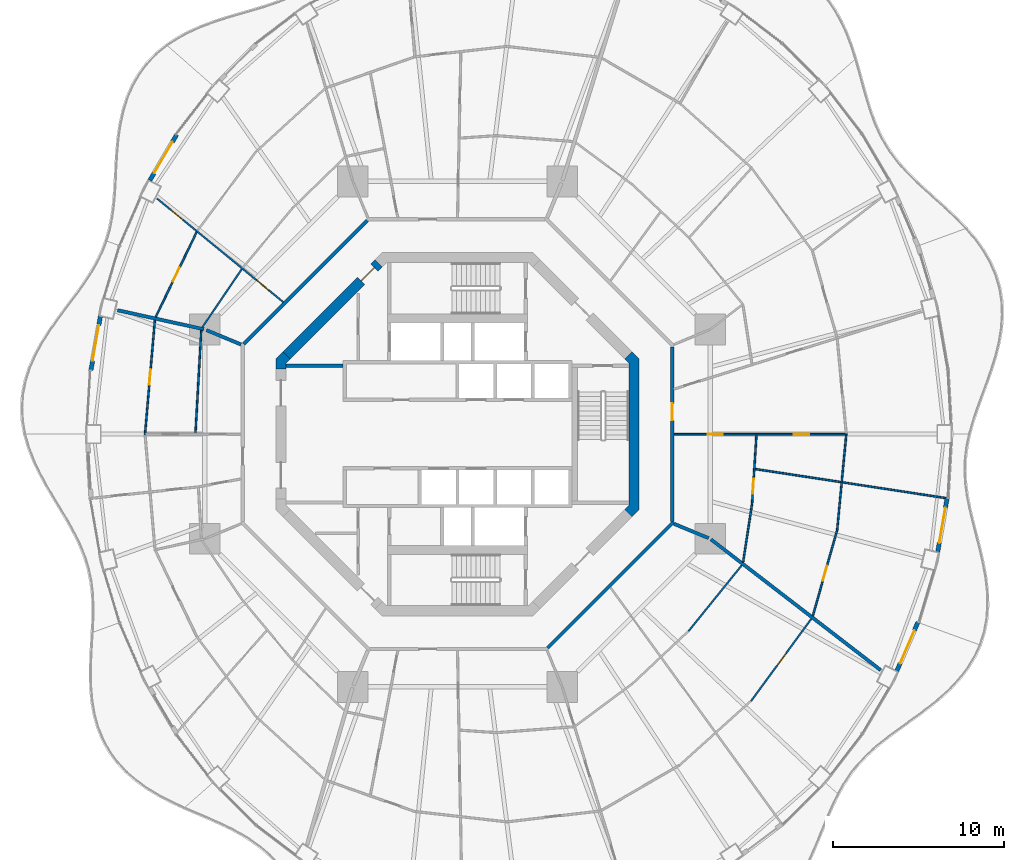
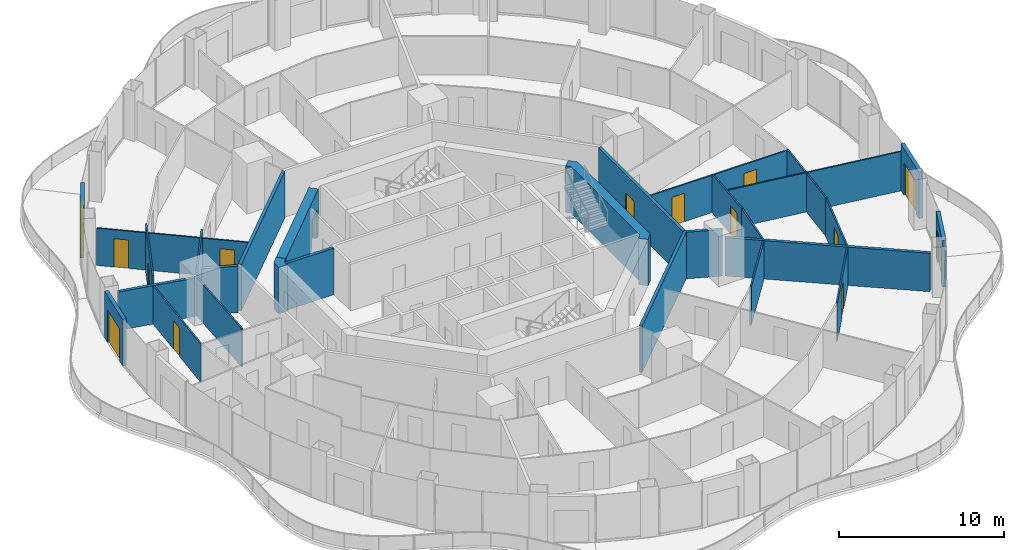
# One storey, part 13 of 19: 28 walls, 15 doors, 15 openings.
"""IFC4 building model written with IfcOpenShell, lengths in metres."""

from ifc_helpers import new_model, si_unit, direction, frame, frame_2d, origin, place, context, subcontext, project, spatial, polyline, rectangle, outline, extrude, material, layer, layer_set, type_object, element, fill, save


model = new_model("IFC4")

# Units and contexts
model_context = context("Model", 3, precision=1e-05, world=origin(), true_north=direction((0.0, 1.0)))
body_context = subcontext(model_context, "Body", "Model", "MODEL_VIEW")
ifc_project = project(units=[si_unit("LENGTHUNIT", "METRE"), si_unit("AREAUNIT", "SQUARE_METRE"), si_unit("VOLUMEUNIT", "CUBIC_METRE"), si_unit("PLANEANGLEUNIT", "RADIAN"), si_unit("MASSUNIT", "GRAM", prefix="KILO")], contexts=[model_context])

# Site, building, storey
site_placement = place(None, origin())
site = spatial("IfcSite", under=ifc_project, at=site_placement, CompositionType="ELEMENT")
building_placement = place(site_placement, origin())
building = spatial("IfcBuilding", under=site, at=building_placement, Name="Nagisa Residences", CompositionType="ELEMENT")
storey_placement = place(building_placement, frame((0.0, 0.0, 169.60009765625)))
storey = spatial("IfcBuildingStorey", under=building, at=storey_placement, Name="L42", CompositionType="ELEMENT", Elevation=169.60009765625)

# Walls
ifc_material_1 = material(Name="Gypsum board on steel studs", Category="steel")
ifc_layer_1 = layer(ifc_material_1, 0.199951171875)
ifc_layer_set_1 = layer_set([ifc_layer_1], Name="Apartment compartment wall EI60 200")
wall_type_1 = type_object("IfcWallType", Name="Apartment compartment wall EI60 200", PredefinedType="PARTITIONING", material=ifc_layer_set_1)
wall_1_placement = place(storey_placement, frame((-12.6572265625, 5.24267578125, 0.0), z_axis=(0.0, 0.0, 1.0), x_axis=(-0.923859888513, 0.38273085373, 0.0)))
element("IfcWall", 1, at=wall_1_placement, inside=storey, type_object=wall_type_1, Name="wall:L42:u02", PredefinedType="PARTITIONING", context=body_context, shape_type="SweptSolid", body=[
    extrude(rectangle(XDim=2.199462890625, YDim=0.199951171875, at=frame_2d((1.099609375, 0.0))), origin(), (0.0, 0.0, 1.0), 3.43994140625),
])
wall_2_placement = place(storey_placement, frame((-14.830810546875, 6.133544921875, 0.0), z_axis=(0.0, 0.0, 1.0), x_axis=(-0.976568396888, 0.215207263354, 0.0)))
element("IfcWall", 2, at=wall_2_placement, inside=storey, type_object=wall_type_1, Name="wall:L42:u03", PredefinedType="PARTITIONING", context=body_context, shape_type="SweptSolid", body=[
    extrude(rectangle(XDim=5.176513671875, YDim=0.199951171875, at=frame_2d((2.58837890625, 0.0))), origin(), (0.0, 0.0, 1.0), 2.8369140625),
])
wall_3_placement = place(storey_placement, frame((12.6572265625, -5.24267578125, 0.0), z_axis=(0.0, 0.0, 1.0), x_axis=(0.92383017907, -0.382802560388, 0.0)))
element("IfcWall", 3, at=wall_3_placement, inside=storey, type_object=wall_type_1, Name="wall:L42:u06", PredefinedType="PARTITIONING", context=body_context, shape_type="SweptSolid", body=[
    extrude(rectangle(XDim=2.2001953125, YDim=0.199951171875, at=frame_2d((1.10009765625, 0.0))), origin(), (0.0, 0.0, 1.0), 3.43994140625),
])
wall_4_placement = place(storey_placement, frame((14.82177734375, -6.153564453125, 0.0), z_axis=(0.0, 0.0, 1.0), x_axis=(0.792203056092, -0.610257583254, 0.0)))
element("IfcWall", 4, at=wall_4_placement, inside=storey, type_object=wall_type_1, Name="wall:L42:u07", PredefinedType="PARTITIONING", context=body_context, shape_type="SweptSolid", body=[
    extrude(rectangle(XDim=12.53271484375, YDim=0.199951171875, at=frame_2d((6.266357421875, 0.0))), origin(), (0.0, 0.0, 1.0), 2.8369140625),
])

# Wall, opening, door
ifc_material_2 = material(Name="Gypsum board on steel studs", Category="steel")
ifc_layer_2 = layer(ifc_material_2, 0.199951171875)
ifc_layer_set_2 = layer_set([ifc_layer_2], Name="Apartment entry wall EI60 200")
wall_type_2 = type_object("IfcWallType", Name="Apartment entry wall EI60 200", PredefinedType="PARTITIONING", material=ifc_layer_set_2)
wall_5_placement = place(storey_placement, frame((12.564697265625, -5.1044921875, 0.0), z_axis=(0.0, 0.0, 1.0), x_axis=(0.0, 1.0, 0.0)))
wall_5 = element("IfcWall", 5, at=wall_5_placement, inside=storey, type_object=wall_type_2, Name="wall:L42:u08", PredefinedType="PARTITIONING", context=body_context, shape_type="SweptSolid", body=[
    extrude(rectangle(XDim=10.208984375, YDim=0.199951171875, at=frame_2d((5.1044921875, 0.0))), origin(), (0.0, 0.0, 1.0), 3.43994140625),
])
opening_1_placement = place(wall_5_placement, frame((5.905517578125, 0.0, 0.0)))
opening_1 = element("IfcOpeningElement", 6, at=opening_1_placement, cuts=wall_5, Name="Opening L42-U01", PredefinedType="OPENING", context=body_context, shape_type="SweptSolid", body=[
    extrude(rectangle(XDim=1.0, YDim=2.10009765625, at=frame_2d((0.5, 1.050048828125))), frame((0.0, 0.10986328125, 0.0), z_axis=(0.0, -1.0, 0.0), x_axis=(1.0, 0.0, 0.0)), (0.0, 0.0, 1.0), 0.219970703125),
])
ifc_material_3 = material(Name="Timber fire door set", Category="wood")
door_type_1 = type_object("IfcDoorType", Name="Apartment entry door FD30S 1000x2100", OperationType="NOTDEFINED", PredefinedType="DOOR", material=ifc_material_3)
door_1_placement = place(opening_1_placement, frame((1.0, 0.0, 0.0), x_axis=(-1.0, 0.0, 0.0)))
door_1 = element("IfcDoor", 7, at=door_1_placement, inside=storey, type_object=door_type_1, Name="Entry door, Apartment 42A", OperationType="SINGLE_SWING_RIGHT", OverallHeight=2.10009765625, OverallWidth=1.0, PredefinedType="DOOR", context=body_context, shape_type="SweptSolid", body=[
    extrude(rectangle(XDim=1.0, YDim=2.10009765625, at=frame_2d((0.5, 1.050048828125))), frame((0.0, 0.02490234375, 0.0), z_axis=(0.0, -1.0, 0.0), x_axis=(1.0, 0.0, 0.0)), (0.0, 0.0, 1.0), 0.050048828125),
])
fill(opening_1, door_1)

# Walls
wall_6_placement = place(storey_placement, frame((-5.275146484375, 12.494140625, 0.0), z_axis=(0.0, 0.0, 1.0), x_axis=(-0.707106781187, -0.707106781187, 0.0)))
element("IfcWall", 8, at=wall_6_placement, inside=storey, type_object=wall_type_2, Name="wall:L42:u11", PredefinedType="PARTITIONING", context=body_context, shape_type="SweptSolid", body=[
    extrude(rectangle(XDim=10.209228515625, YDim=0.199951171875, at=frame_2d((5.1044921875, 0.0))), origin(), (0.0, 0.0, 1.0), 3.43994140625),
])
wall_7_placement = place(storey_placement, frame((5.275146484375, -12.494140625, 0.0), z_axis=(0.0, 0.0, 1.0), x_axis=(0.707106781187, 0.707106781187, 0.0)))
element("IfcWall", 9, at=wall_7_placement, inside=storey, type_object=wall_type_2, Name="wall:L42:u15", PredefinedType="PARTITIONING", context=body_context, shape_type="SweptSolid", body=[
    extrude(rectangle(XDim=10.4091796875, YDim=0.199951171875, at=frame_2d((5.20458984375, 0.0))), origin(), (0.0, 0.0, 1.0), 3.43994140625),
])

# Wall, openings, doors
ifc_material_4 = material(Name="Gypsum board on steel studs", Category="steel")
ifc_layer_3 = layer(ifc_material_4, 0.10009765625)
ifc_layer_set_3 = layer_set([ifc_layer_3], Name="Apartment partition 100")
wall_type_3 = type_object("IfcWallType", Name="Apartment partition 100", PredefinedType="PARTITIONING", material=ifc_layer_set_3)
wall_8_placement = place(storey_placement, frame((12.664794921875, 0.0, 0.0), z_axis=(0.0, 0.0, 1.0), x_axis=(1.0, 0.0, 0.0)))
wall_8 = element("IfcWall", 10, at=wall_8_placement, inside=storey, type_object=wall_type_3, Name="wall:L42:u16", PredefinedType="PARTITIONING", context=body_context, shape_type="SweptSolid", body=[
    extrude(rectangle(XDim=10.124267578125, YDim=0.10009765625, at=frame_2d((5.06201171875, 0.0))), origin(), (0.0, 0.0, 1.0), 2.755859375),
])
opening_2_placement = place(wall_8_placement, frame((1.96142578125, 0.0, 0.0)))
opening_2 = element("IfcOpeningElement", 11, at=opening_2_placement, cuts=wall_8, Name="Opening L42-U02", PredefinedType="OPENING", context=body_context, shape_type="SweptSolid", body=[
    extrude(rectangle(XDim=0.89990234375, YDim=2.10009765625, at=frame_2d((0.449951171875, 1.050048828125))), frame((0.0, 0.06005859375, 0.0), z_axis=(0.0, -1.0, 0.0), x_axis=(1.0, 0.0, 0.0)), (0.0, 0.0, 1.0), 0.1201171875),
])
opening_3_placement = place(wall_8_placement, frame((6.998779296875, 0.0, 0.0)))
opening_3 = element("IfcOpeningElement", 12, at=opening_3_placement, cuts=wall_8, Name="Opening L42-U05", PredefinedType="OPENING", context=body_context, shape_type="SweptSolid", body=[
    extrude(rectangle(XDim=0.89990234375, YDim=2.10009765625, at=frame_2d((0.449951171875, 1.050048828125))), frame((0.0, 0.06005859375, 0.0), z_axis=(0.0, -1.0, 0.0), x_axis=(1.0, 0.0, 0.0)), (0.0, 0.0, 1.0), 0.1201171875),
])
ifc_material_5 = material(Name="Timber door set", Category="wood")
door_type_2 = type_object("IfcDoorType", Name="Apartment door 900x2100", OperationType="NOTDEFINED", PredefinedType="DOOR", material=ifc_material_5)
door_2_placement = place(opening_2_placement, frame((0.89990234375, 0.0, 0.0), x_axis=(-1.0, 0.0, 0.0)))
door_2 = element("IfcDoor", 13, at=door_2_placement, inside=storey, type_object=door_type_2, Name="Door to store, Apartment 42A", OperationType="SINGLE_SWING_LEFT", OverallHeight=2.10009765625, OverallWidth=0.89990234375, PredefinedType="DOOR", context=body_context, shape_type="SweptSolid", body=[
    extrude(rectangle(XDim=0.89990234375, YDim=2.10009765625, at=frame_2d((0.449951171875, 1.050048828125))), frame((0.0, 0.02490234375, 0.0), z_axis=(0.0, -1.0, 0.0), x_axis=(1.0, 0.0, 0.0)), (0.0, 0.0, 1.0), 0.050048828125),
])
fill(opening_2, door_2)
door_3_placement = place(opening_3_placement, frame((0.89990234375, 0.0, 0.0), x_axis=(-1.0, 0.0, 0.0)))
door_3 = element("IfcDoor", 14, at=door_3_placement, inside=storey, type_object=door_type_2, Name="Door to family bathroom, Apartment 42A", OperationType="SINGLE_SWING_RIGHT", OverallHeight=2.10009765625, OverallWidth=0.89990234375, PredefinedType="DOOR", context=body_context, shape_type="SweptSolid", body=[
    extrude(rectangle(XDim=0.89990234375, YDim=2.10009765625, at=frame_2d((0.449951171875, 1.050048828125))), frame((0.0, 0.02490234375, 0.0), z_axis=(0.0, -1.0, 0.0), x_axis=(1.0, 0.0, 0.0)), (0.0, 0.0, 1.0), 0.050048828125),
])
fill(opening_3, door_3)

# Wall, opening, door
wall_9_placement = place(storey_placement, frame((17.484619140625, -0.0498046875, 0.0), z_axis=(0.0, 0.0, 1.0), x_axis=(-0.063673473968, -0.997970785501, 0.0)))
wall_9 = element("IfcWall", 15, at=wall_9_placement, inside=storey, type_object=wall_type_3, Name="wall:L42:u17", PredefinedType="PARTITIONING", context=body_context, shape_type="SweptSolid", body=[
    extrude(rectangle(XDim=4.072021484375, YDim=0.10009765625, at=frame_2d((2.0361328125, 0.0))), origin(), (0.0, 0.0, 1.0), 2.8369140625),
])
opening_4_placement = place(wall_9_placement, frame((2.553955078125, 0.0, 0.0)))
opening_4 = element("IfcOpeningElement", 16, at=opening_4_placement, cuts=wall_9, Name="Opening L42-U04", PredefinedType="OPENING", context=body_context, shape_type="SweptSolid", body=[
    extrude(rectangle(XDim=0.89990234375, YDim=2.10009765625, at=frame_2d((0.449951171875, 1.050048828125))), frame((0.0, 0.06005859375, 0.0), z_axis=(0.0, -1.0, 0.0), x_axis=(1.0, 0.0, 0.0)), (0.0, 0.0, 1.0), 0.1201171875),
])
door_4_placement = place(opening_4_placement, origin())
door_4 = element("IfcDoor", 17, at=door_4_placement, inside=storey, type_object=door_type_2, Name="Door to kitchen, Apartment 42A", OperationType="SINGLE_SWING_RIGHT", OverallHeight=2.10009765625, OverallWidth=0.89990234375, PredefinedType="DOOR", context=body_context, shape_type="SweptSolid", body=[
    extrude(rectangle(XDim=0.89990234375, YDim=2.10009765625, at=frame_2d((0.449951171875, 1.050048828125))), frame((0.0, 0.02490234375, 0.0), z_axis=(0.0, -1.0, 0.0), x_axis=(1.0, 0.0, 0.0)), (0.0, 0.0, 1.0), 0.050048828125),
])
fill(opening_4, door_4)

# Wall
wall_10_placement = place(storey_placement, frame((22.734375, -0.0498046875, 0.0), z_axis=(0.0, 0.0, 1.0), x_axis=(-0.0949274088, -0.995484197292, 0.0)))
element("IfcWall", 18, at=wall_10_placement, inside=storey, type_object=wall_type_3, Name="wall:L42:u19", PredefinedType="PARTITIONING", context=body_context, shape_type="SweptSolid", body=[
    extrude(rectangle(XDim=5.647705078125, YDim=0.10009765625, at=frame_2d((2.82373046875, 0.0))), origin(), (0.0, 0.0, 1.0), 2.8369140625),
])

# Wall, openings, doors
wall_11_placement = place(storey_placement, frame((-10.188720703125, 7.721435546875, 0.0), z_axis=(0.0, 0.0, 1.0), x_axis=(-0.773134429339, 0.634242188892, 0.0)))
wall_11 = element("IfcWall", 19, at=wall_11_placement, inside=storey, type_object=wall_type_3, Name="wall:L42:u50", PredefinedType="PARTITIONING", context=body_context, shape_type="SweptSolid", body=[
    extrude(rectangle(XDim=9.5517578125, YDim=0.10009765625, at=frame_2d((4.77587890625, 0.0))), origin(), (0.0, 0.0, 1.0), 2.755859375),
])
opening_5_placement = place(wall_11_placement, frame((7.589599609375, 0.0, 0.0)))
opening_5 = element("IfcOpeningElement", 20, at=opening_5_placement, cuts=wall_11, Name="Opening L42-U23", PredefinedType="OPENING", context=body_context, shape_type="SweptSolid", body=[
    extrude(rectangle(XDim=0.89990234375, YDim=2.10009765625, at=frame_2d((0.449951171875, 1.050048828125))), frame((0.0, 0.06005859375, 0.0), z_axis=(0.0, -1.0, 0.0), x_axis=(1.0, 0.0, 0.0)), (0.0, 0.0, 1.0), 0.1201171875),
])
opening_6_placement = place(wall_11_placement, frame((1.103515625, 0.0, 0.0)))
opening_6 = element("IfcOpeningElement", 21, at=opening_6_placement, cuts=wall_11, Name="Opening L42-U27", PredefinedType="OPENING", context=body_context, shape_type="SweptSolid", body=[
    extrude(rectangle(XDim=0.89990234375, YDim=2.10009765625, at=frame_2d((0.449951171875, 1.050048828125))), frame((0.0, 0.06005859375, 0.0), z_axis=(0.0, -1.0, 0.0), x_axis=(1.0, 0.0, 0.0)), (0.0, 0.0, 1.0), 0.1201171875),
])
door_5_placement = place(opening_5_placement, origin())
door_5 = element("IfcDoor", 22, at=door_5_placement, inside=storey, type_object=door_type_2, Name="Door to bedroom, Apartment 42B", OperationType="SINGLE_SWING_LEFT", OverallHeight=2.10009765625, OverallWidth=0.89990234375, PredefinedType="DOOR", context=body_context, shape_type="SweptSolid", body=[
    extrude(rectangle(XDim=0.89990234375, YDim=2.10009765625, at=frame_2d((0.449951171875, 1.050048828125))), frame((0.0, 0.02490234375, 0.0), z_axis=(0.0, -1.0, 0.0), x_axis=(1.0, 0.0, 0.0)), (0.0, 0.0, 1.0), 0.050048828125),
])
fill(opening_5, door_5)
door_6_placement = place(opening_6_placement, origin())
door_6 = element("IfcDoor", 23, at=door_6_placement, inside=storey, type_object=door_type_2, Name="Door to laundry, Apartment 42B", OperationType="SINGLE_SWING_LEFT", OverallHeight=2.10009765625, OverallWidth=0.89990234375, PredefinedType="DOOR", context=body_context, shape_type="SweptSolid", body=[
    extrude(rectangle(XDim=0.89990234375, YDim=2.10009765625, at=frame_2d((0.449951171875, 1.050048828125))), frame((0.0, 0.02490234375, 0.0), z_axis=(0.0, -1.0, 0.0), x_axis=(1.0, 0.0, 0.0)), (0.0, 0.0, 1.0), 0.050048828125),
])
fill(opening_6, door_6)

# Wall
wall_12_placement = place(storey_placement, frame((-12.61865234375, 9.650390625, 0.0), z_axis=(0.0, 0.0, 1.0), x_axis=(-0.561046521684, -0.82778427172, 0.0)))
element("IfcWall", 24, at=wall_12_placement, inside=storey, type_object=wall_type_3, Name="wall:L42:u51", PredefinedType="PARTITIONING", context=body_context, shape_type="SweptSolid", body=[
    extrude(rectangle(XDim=4.108642578125, YDim=0.10009765625, at=frame_2d((2.05419921875, 0.0))), origin(), (0.0, 0.0, 1.0), 3.43994140625),
])

# Wall, opening, door
wall_13_placement = place(storey_placement, frame((-15.2568359375, 11.816162109375, 0.0), z_axis=(0.0, 0.0, 1.0), x_axis=(-0.434027506504, -0.900899619046, 0.0)))
wall_13 = element("IfcWall", 25, at=wall_13_placement, inside=storey, type_object=wall_type_3, Name="wall:L42:u52", PredefinedType="PARTITIONING", context=body_context, shape_type="SweptSolid", body=[
    extrude(rectangle(XDim=5.508056640625, YDim=0.10009765625, at=frame_2d((2.75390625, 0.0))), origin(), (0.0, 0.0, 1.0), 3.43994140625),
])
opening_7_placement = place(wall_13_placement, frame((2.303955078125, 0.0, 0.0)))
opening_7 = element("IfcOpeningElement", 26, at=opening_7_placement, cuts=wall_13, Name="Opening L42-U25", PredefinedType="OPENING", context=body_context, shape_type="SweptSolid", body=[
    extrude(rectangle(XDim=0.89990234375, YDim=2.10009765625, at=frame_2d((0.449951171875, 1.050048828125))), frame((0.0, 0.06005859375, 0.0), z_axis=(0.0, -1.0, 0.0), x_axis=(1.0, 0.0, 0.0)), (0.0, 0.0, 1.0), 0.1201171875),
])
door_7_placement = place(opening_7_placement, origin())
door_7 = element("IfcDoor", 27, at=door_7_placement, inside=storey, type_object=door_type_2, Name="Door to en-suite bathroom, Apartment 42B", OperationType="SINGLE_SWING_LEFT", OverallHeight=2.10009765625, OverallWidth=0.89990234375, PredefinedType="DOOR", context=body_context, shape_type="SweptSolid", body=[
    extrude(rectangle(XDim=0.89990234375, YDim=2.10009765625, at=frame_2d((0.449951171875, 1.050048828125))), frame((0.0, 0.02490234375, 0.0), z_axis=(0.0, -1.0, 0.0), x_axis=(1.0, 0.0, 0.0)), (0.0, 0.0, 1.0), 0.050048828125),
])
fill(opening_7, door_7)

# Wall
wall_14_placement = place(storey_placement, frame((-14.985595703125, 6.066650390625, 0.0), z_axis=(0.0, 0.0, 1.0), x_axis=(-0.056311398802, -0.998413254302, 0.0)))
element("IfcWall", 28, at=wall_14_placement, inside=storey, type_object=wall_type_3, Name="wall:L42:u53", PredefinedType="PARTITIONING", context=body_context, shape_type="SweptSolid", body=[
    extrude(rectangle(XDim=6.0263671875, YDim=0.10009765625, at=frame_2d((3.01318359375, 0.0))), origin(), (0.0, 0.0, 1.0), 2.8369140625),
])

# Wall, opening, door
wall_15_placement = place(storey_placement, frame((-17.69970703125, 6.664306640625, 0.0), z_axis=(0.0, 0.0, 1.0), x_axis=(-0.086004282666, -0.996294767307, 0.0)))
wall_15 = element("IfcWall", 29, at=wall_15_placement, inside=storey, type_object=wall_type_3, Name="wall:L42:u54", PredefinedType="PARTITIONING", context=body_context, shape_type="SweptSolid", body=[
    extrude(rectangle(XDim=6.739013671875, YDim=0.10009765625, at=frame_2d((3.36962890625, 0.0))), origin(), (0.0, 0.0, 1.0), 2.8369140625),
])
opening_8_placement = place(wall_15_placement, frame((2.89453125, 0.0, 0.0)))
opening_8 = element("IfcOpeningElement", 30, at=opening_8_placement, cuts=wall_15, Name="Opening L42-U33", PredefinedType="OPENING", context=body_context, shape_type="SweptSolid", body=[
    extrude(rectangle(XDim=0.89990234375, YDim=2.10009765625, at=frame_2d((0.449951171875, 1.050048828125))), frame((0.0, 0.06005859375, 0.0), z_axis=(0.0, -1.0, 0.0), x_axis=(1.0, 0.0, 0.0)), (0.0, 0.0, 1.0), 0.1201171875),
])
door_8_placement = place(opening_8_placement, frame((0.89990234375, 0.0, 0.0), x_axis=(-1.0, 0.0, 0.0)))
door_8 = element("IfcDoor", 31, at=door_8_placement, inside=storey, type_object=door_type_2, Name="Door to bedroom, Apartment 42C", OperationType="SINGLE_SWING_RIGHT", OverallHeight=2.10009765625, OverallWidth=0.89990234375, PredefinedType="DOOR", context=body_context, shape_type="SweptSolid", body=[
    extrude(rectangle(XDim=0.89990234375, YDim=2.10009765625, at=frame_2d((0.449951171875, 1.050048828125))), frame((0.0, 0.02490234375, 0.0), z_axis=(0.0, -1.0, 0.0), x_axis=(1.0, 0.0, 0.0)), (0.0, 0.0, 1.0), 0.050048828125),
])
fill(opening_8, door_8)

# Wall
wall_16_placement = place(storey_placement, frame((13.50927734375, -11.524658203125, 0.0), z_axis=(0.0, 0.0, 1.0), x_axis=(0.628764602857, 0.777595700987, 0.0)))
element("IfcWall", 32, at=wall_16_placement, inside=storey, type_object=wall_type_3, Name="wall:L42:u85", PredefinedType="PARTITIONING", context=body_context, shape_type="SweptSolid", body=[
    extrude(rectangle(XDim=4.957275390625, YDim=0.10009765625, at=frame_2d((2.478515625, 0.0))), origin(), (0.0, 0.0, 1.0), 2.8369140625),
])

# Wall, opening, door
wall_17_placement = place(storey_placement, frame((17.169189453125, -15.609375, 0.0), z_axis=(0.0, 0.0, 1.0), x_axis=(0.591122127251, 0.806582066918, 0.0)))
wall_17 = element("IfcWall", 33, at=wall_17_placement, inside=storey, type_object=wall_type_3, Name="wall:L42:u86", PredefinedType="PARTITIONING", context=body_context, shape_type="SweptSolid", body=[
    extrude(rectangle(XDim=5.960205078125, YDim=0.10009765625, at=frame_2d((2.97998046875, 0.0))), origin(), (0.0, 0.0, 1.0), 2.8369140625),
])
opening_9_placement = place(wall_17_placement, frame((2.554931640625, 0.0, 0.0)))
opening_9 = element("IfcOpeningElement", 34, at=opening_9_placement, cuts=wall_17, Name="Opening L42-U52", PredefinedType="OPENING", context=body_context, shape_type="SweptSolid", body=[
    extrude(rectangle(XDim=0.89990234375, YDim=2.10009765625, at=frame_2d((0.449951171875, 1.050048828125))), frame((0.0, 0.06005859375, 0.0), z_axis=(0.0, -1.0, 0.0), x_axis=(1.0, 0.0, 0.0)), (0.0, 0.0, 1.0), 0.1201171875),
])
door_9_placement = place(opening_9_placement, frame((0.89990234375, 0.0, 0.0), x_axis=(-1.0, 0.0, 0.0)))
door_9 = element("IfcDoor", 35, at=door_9_placement, inside=storey, type_object=door_type_2, Name="Door to family room, Apartment 42D", OperationType="SINGLE_SWING_LEFT", OverallHeight=2.10009765625, OverallWidth=0.89990234375, PredefinedType="DOOR", context=body_context, shape_type="SweptSolid", body=[
    extrude(rectangle(XDim=0.89990234375, YDim=2.10009765625, at=frame_2d((0.449951171875, 1.050048828125))), frame((0.0, 0.02490234375, 0.0), z_axis=(0.0, -1.0, 0.0), x_axis=(1.0, 0.0, 0.0)), (0.0, 0.0, 1.0), 0.050048828125),
])
fill(opening_9, door_9)

# Wall
wall_18_placement = place(storey_placement, frame((16.704345703125, -7.4931640625, 0.0), z_axis=(0.0, 0.0, 1.0), x_axis=(0.1510806336, 0.988521442434, 0.0)))
element("IfcWall", 36, at=wall_18_placement, inside=storey, type_object=wall_type_3, Name="wall:L42:u87", PredefinedType="PARTITIONING", context=body_context, shape_type="SweptSolid", body=[
    extrude(rectangle(XDim=3.41943359375, YDim=0.10009765625, at=frame_2d((1.709716796875, 0.0))), origin(), (0.0, 0.0, 1.0), 2.8369140625),
])

# Wall, opening, door
wall_19_placement = place(storey_placement, frame((20.77880859375, -10.625244140625, 0.0), z_axis=(0.0, 0.0, 1.0), x_axis=(0.273819702124, 0.961781040949, 0.0)))
wall_19 = element("IfcWall", 37, at=wall_19_placement, inside=storey, type_object=wall_type_3, Name="wall:L42:u88", PredefinedType="PARTITIONING", context=body_context, shape_type="SweptSolid", body=[
    extrude(rectangle(XDim=5.151611328125, YDim=0.10009765625, at=frame_2d((2.57568359375, 0.0))), origin(), (0.0, 0.0, 1.0), 2.8369140625),
])
opening_10_placement = place(wall_19_placement, frame((2.125732421875, 0.0, 0.0)))
opening_10 = element("IfcOpeningElement", 38, at=opening_10_placement, cuts=wall_19, Name="Opening L42-U08", PredefinedType="OPENING", context=body_context, shape_type="SweptSolid", body=[
    extrude(rectangle(XDim=0.89990234375, YDim=2.10009765625, at=frame_2d((0.449951171875, 1.050048828125))), frame((0.0, 0.06005859375, 0.0), z_axis=(0.0, -1.0, 0.0), x_axis=(1.0, 0.0, 0.0)), (0.0, 0.0, 1.0), 0.1201171875),
])
door_10_placement = place(opening_10_placement, frame((0.89990234375, 0.0, 0.0), x_axis=(-1.0, 0.0, 0.0)))
door_10 = element("IfcDoor", 39, at=door_10_placement, inside=storey, type_object=door_type_2, Name="Door to master bedroom, Apartment 42A", OperationType="SINGLE_SWING_LEFT", OverallHeight=2.10009765625, OverallWidth=0.89990234375, PredefinedType="DOOR", context=body_context, shape_type="SweptSolid", body=[
    extrude(rectangle(XDim=0.89990234375, YDim=2.10009765625, at=frame_2d((0.449951171875, 1.050048828125))), frame((0.0, 0.02490234375, 0.0), z_axis=(0.0, -1.0, 0.0), x_axis=(1.0, 0.0, 0.0)), (0.0, 0.0, 1.0), 0.050048828125),
])
fill(opening_10, door_10)

# Wall
wall_20_placement = place(storey_placement, frame((17.407470703125, -2.039306640625, 0.0), z_axis=(0.0, 0.0, 1.0), x_axis=(0.98858728603, -0.150649188184, 0.0)))
element("IfcWall", 40, at=wall_20_placement, inside=storey, type_object=wall_type_3, Name="wall:L42:u89", PredefinedType="PARTITIONING", context=body_context, shape_type="SweptSolid", body=[
    extrude(rectangle(XDim=11.44140625, YDim=0.10009765625, at=frame_2d((5.720703125, 0.0))), origin(), (0.0, 0.0, 1.0), 2.90478515625),
])

# Wall, opening, door
ifc_material_6 = material(Name="Precast concrete C40/50", Category="concrete")
ifc_layer_4 = layer(ifc_material_6, 0.25)
ifc_layer_set_4 = layer_set([ifc_layer_4], Name="BALCONY DOOR WALL 250")
wall_type_4 = type_object("IfcWallType", Name="BALCONY DOOR WALL 250", PredefinedType="SOLIDWALL", material=ifc_layer_set_4)
wall_21_placement = place(storey_placement, frame((-17.989013671875, 14.848388671875, 0.0), z_axis=(0.0, 0.0, 1.0), x_axis=(0.506309086483, 0.862352079458, 0.0)))
wall_21 = element("IfcWall", 41, at=wall_21_placement, inside=storey, type_object=wall_type_4, Name="wall:L42:bay19", PredefinedType="SOLIDWALL", context=body_context, shape_type="SweptSolid", body=[
    extrude(rectangle(XDim=3.091796875, YDim=0.25, at=frame_2d((1.5458984375, 0.0))), origin(), (0.0, 0.0, 1.0), 3.43994140625),
])
opening_11_placement = place(wall_21_placement, frame((0.495849609375, 0.0, 0.0)))
opening_11 = element("IfcOpeningElement", 42, at=opening_11_placement, cuts=wall_21, Name="Opening BD-L42-07", PredefinedType="OPENING", context=body_context, shape_type="SweptSolid", body=[
    extrude(rectangle(XDim=2.10009765625, YDim=2.39990234375, at=frame_2d((1.050048828125, 1.199951171875))), frame((0.0, 0.135009765625, 0.0), z_axis=(0.0, -1.0, 0.0), x_axis=(1.0, 0.0, 0.0)), (0.0, 0.0, 1.0), 0.27001953125),
])
ifc_material_7 = material(Name="Aluminium and clear glass", Category="aluminium")
door_type_3 = type_object("IfcDoorType", Name="BALCONY SLIDING DOOR 2100x2400", OperationType="SLIDING_TO_LEFT", PredefinedType="DOOR", material=ifc_material_7)
door_11_placement = place(opening_11_placement, origin())
door_11 = element("IfcDoor", 43, at=door_11_placement, inside=storey, type_object=door_type_3, Name="door:L42:bay19", OperationType="SLIDING_TO_LEFT", OverallHeight=2.39990234375, OverallWidth=2.10009765625, PredefinedType="DOOR", context=body_context, shape_type="SweptSolid", body=[
    extrude(rectangle(XDim=2.10009765625, YDim=2.39990234375, at=frame_2d((1.050048828125, 1.199951171875))), frame((0.0, 0.02490234375, 0.0), z_axis=(0.0, -1.0, 0.0), x_axis=(1.0, 0.0, 0.0)), (0.0, 0.0, 1.0), 0.050048828125),
])
fill(opening_11, door_11)

wall_22_placement = place(storey_placement, frame((-21.434814453125, 3.747314453125, 0.0), z_axis=(0.0, 0.0, 1.0), x_axis=(0.172223552479, 0.98505789067, 0.0)))
wall_22 = element("IfcWall", 44, at=wall_22_placement, inside=storey, type_object=wall_type_4, Name="wall:L42:bay22", PredefinedType="SOLIDWALL", context=body_context, shape_type="SweptSolid", body=[
    extrude(rectangle(XDim=3.2109375, YDim=0.25, at=frame_2d((1.60546875, 0.0))), origin(), (0.0, 0.0, 1.0), 3.43994140625),
])
opening_12_placement = place(wall_22_placement, frame((0.555419921875, 0.0, 0.0)))
opening_12 = element("IfcOpeningElement", 45, at=opening_12_placement, cuts=wall_22, Name="Opening BD-L42-08", PredefinedType="OPENING", context=body_context, shape_type="SweptSolid", body=[
    extrude(rectangle(XDim=2.10009765625, YDim=2.39990234375, at=frame_2d((1.050048828125, 1.199951171875))), frame((0.0, 0.135009765625, 0.0), z_axis=(0.0, -1.0, 0.0), x_axis=(1.0, 0.0, 0.0)), (0.0, 0.0, 1.0), 0.27001953125),
])
door_12_placement = place(opening_12_placement, origin())
door_12 = element("IfcDoor", 46, at=door_12_placement, inside=storey, type_object=door_type_3, Name="door:L42:bay22", OperationType="SLIDING_TO_LEFT", OverallHeight=2.39990234375, OverallWidth=2.10009765625, PredefinedType="DOOR", context=body_context, shape_type="SweptSolid", body=[
    extrude(rectangle(XDim=2.10009765625, YDim=2.39990234375, at=frame_2d((1.050048828125, 1.199951171875))), frame((0.0, 0.02490234375, 0.0), z_axis=(0.0, -1.0, 0.0), x_axis=(1.0, 0.0, 0.0)), (0.0, 0.0, 1.0), 0.050048828125),
])
fill(opening_12, door_12)

wall_23_placement = place(storey_placement, frame((26.9287109375, -11.000244140625, 0.0), z_axis=(0.0, 0.0, 1.0), x_axis=(-0.397620521824, -0.917549955384, 0.0)))
wall_23 = element("IfcWall", 47, at=wall_23_placement, inside=storey, type_object=wall_type_4, Name="wall:L42:bay44", PredefinedType="SOLIDWALL", context=body_context, shape_type="SweptSolid", body=[
    extrude(rectangle(XDim=3.141845703125, YDim=0.25, at=frame_2d((1.57080078125, 0.0))), origin(), (0.0, 0.0, 1.0), 3.43994140625),
])
opening_13_placement = place(wall_23_placement, frame((0.52099609375, 0.0, 0.0)))
opening_13 = element("IfcOpeningElement", 48, at=opening_13_placement, cuts=wall_23, Name="Opening BD-L42-15", PredefinedType="OPENING", context=body_context, shape_type="SweptSolid", body=[
    extrude(rectangle(XDim=2.10009765625, YDim=2.39990234375, at=frame_2d((1.050048828125, 1.199951171875))), frame((0.0, 0.135009765625, 0.0), z_axis=(0.0, -1.0, 0.0), x_axis=(1.0, 0.0, 0.0)), (0.0, 0.0, 1.0), 0.27001953125),
])
door_13_placement = place(opening_13_placement, origin())
door_13 = element("IfcDoor", 49, at=door_13_placement, inside=storey, type_object=door_type_3, Name="door:L42:bay44", OperationType="SLIDING_TO_LEFT", OverallHeight=2.39990234375, OverallWidth=2.10009765625, PredefinedType="DOOR", context=body_context, shape_type="SweptSolid", body=[
    extrude(rectangle(XDim=2.10009765625, YDim=2.39990234375, at=frame_2d((1.050048828125, 1.199951171875))), frame((0.0, 0.02490234375, 0.0), z_axis=(0.0, -1.0, 0.0), x_axis=(1.0, 0.0, 0.0)), (0.0, 0.0, 1.0), 0.050048828125),
])
fill(opening_13, door_13)

wall_24_placement = place(storey_placement, frame((28.634765625, -3.747314453125, 0.0), z_axis=(0.0, 0.0, 1.0), x_axis=(-0.172149769468, -0.985070787747, 0.0)))
wall_24 = element("IfcWall", 50, at=wall_24_placement, inside=storey, type_object=wall_type_4, Name="wall:L42:bay46", PredefinedType="SOLIDWALL", context=body_context, shape_type="SweptSolid", body=[
    extrude(rectangle(XDim=3.210693359375, YDim=0.25, at=frame_2d((1.60546875, 0.0))), origin(), (0.0, 0.0, 1.0), 3.43994140625),
])
opening_14_placement = place(wall_24_placement, frame((0.555419921875, 0.0, 0.0)))
opening_14 = element("IfcOpeningElement", 51, at=opening_14_placement, cuts=wall_24, Name="Opening BD-L42-16", PredefinedType="OPENING", context=body_context, shape_type="SweptSolid", body=[
    extrude(rectangle(XDim=2.10009765625, YDim=2.39990234375, at=frame_2d((1.050048828125, 1.199951171875))), frame((0.0, 0.135009765625, 0.0), z_axis=(0.0, -1.0, 0.0), x_axis=(1.0, 0.0, 0.0)), (0.0, 0.0, 1.0), 0.27001953125),
])
door_14_placement = place(opening_14_placement, origin())
door_14 = element("IfcDoor", 52, at=door_14_placement, inside=storey, type_object=door_type_3, Name="door:L42:bay46", OperationType="SLIDING_TO_LEFT", OverallHeight=2.39990234375, OverallWidth=2.10009765625, PredefinedType="DOOR", context=body_context, shape_type="SweptSolid", body=[
    extrude(rectangle(XDim=2.10009765625, YDim=2.39990234375, at=frame_2d((1.050048828125, 1.199951171875))), frame((0.0, 0.02490234375, 0.0), z_axis=(0.0, -1.0, 0.0), x_axis=(1.0, 0.0, 0.0)), (0.0, 0.0, 1.0), 0.050048828125),
])
fill(opening_14, door_14)

# Wall
ifc_material_8 = material(Name="Gypsum board on steel studs", Category="steel")
ifc_layer_5 = layer(ifc_material_8, 0.199951171875)
ifc_layer_set_5 = layer_set([ifc_layer_5], Name="Core partition 200")
wall_type_5 = type_object("IfcWallType", Name="Core partition 200", PredefinedType="PARTITIONING", material=ifc_layer_set_5)
wall_25_placement = place(storey_placement, frame((-10.024658203125, 4.0, 0.0), z_axis=(0.0, 0.0, 1.0), x_axis=(1.0, 0.0, 0.0)))
element("IfcWall", 53, at=wall_25_placement, inside=storey, type_object=wall_type_5, Name="wall:L42:PNW", PredefinedType="PARTITIONING", context=body_context, shape_type="SweptSolid", body=[
    extrude(rectangle(XDim=3.32470703125, YDim=0.199951171875, at=frame_2d((1.662353515625, 0.0))), origin(), (0.0, 0.0, 1.0), 3.43994140625),
])

# Wall, opening, door
ifc_material_9 = material(Name="Concrete C60", Category="concrete")
ifc_layer_6 = layer(ifc_material_9, 0.60009765625)
ifc_layer_set_6 = layer_set([ifc_layer_6], Name="Core shear wall 600")
wall_type_6 = type_object("IfcWallType", Name="Core shear wall 600", PredefinedType="SHEAR", material=ifc_layer_set_6)
wall_26_placement = place(storey_placement, frame((-4.613037109375, 9.98828125, 0.0), z_axis=(0.0, 0.0, 1.0), x_axis=(-0.707106781187, -0.707106781187, 0.0)))
wall_26 = element("IfcWall", 54, at=wall_26_placement, inside=storey, type_object=wall_type_6, Name="wall:L42:core:flat3", PredefinedType="SHEAR", context=body_context, shape_type="SweptSolid", body=[
    extrude(rectangle(XDim=7.601806640625, YDim=0.60009765625, at=frame_2d((3.80078125, 0.0))), origin(), (0.0, 0.0, 1.0), 3.43994140625),
])
opening_15_placement = place(wall_26_placement, frame((0.350830078125, 0.0, 0.0)))
opening_15 = element("IfcOpeningElement", 55, at=opening_15_placement, cuts=wall_26, Name="Opening L42-C21", PredefinedType="OPENING", context=body_context, shape_type="SweptSolid", body=[
    extrude(rectangle(XDim=1.10009765625, YDim=2.10009765625, at=frame_2d((0.550048828125, 1.050048828125))), frame((0.0, 0.31005859375, 0.0), z_axis=(0.0, -1.0, 0.0), x_axis=(1.0, 0.0, 0.0)), (0.0, 0.0, 1.0), 0.6201171875),
])
ifc_material_10 = material(Name="Steel fire door", Category="steel")
door_type_4 = type_object("IfcDoorType", Name="Fire door EI60 1100x2100 single swing", OperationType="NOTDEFINED", PredefinedType="DOOR", material=ifc_material_10)
door_15_placement = place(opening_15_placement, origin())
door_15 = element("IfcDoor", 56, at=door_15_placement, inside=storey, type_object=door_type_4, Name="Service lobby door L42", OperationType="SINGLE_SWING_RIGHT", OverallHeight=2.10009765625, OverallWidth=1.10009765625, PredefinedType="DOOR", context=body_context, shape_type="SweptSolid", body=[
    extrude(rectangle(XDim=1.10009765625, YDim=2.10009765625, at=frame_2d((0.550048828125, 1.050048828125))), frame((0.0, 0.02490234375, 0.0), z_axis=(0.0, -1.0, 0.0), x_axis=(1.0, 0.0, 0.0)), (0.0, 0.0, 1.0), 0.050048828125),
])
fill(opening_15, door_15)

# Walls
wall_27_placement = place(storey_placement, origin())
element("IfcWall", 57, at=wall_27_placement, inside=storey, type_object=wall_type_6, Name="wall:L42:core:pier3", PredefinedType="SHEAR", context=body_context, shape_type="SweptSolid", body=[
    extrude(outline(polyline([(-10.200439453125, 4.8251953125), (-9.776123046875, 4.40087890625), (-10.024658203125, 4.15234375), (-10.024658203125, 3.80078125), (-10.62451171875, 3.80078125), (-10.62451171875, 4.40087890625), (-10.200439453125, 4.8251953125)])), origin(), (0.0, 0.0, 1.0), 3.43994140625),
])
wall_28_placement = place(storey_placement, origin())
element("IfcWall", 58, at=wall_28_placement, inside=storey, type_object=wall_type_6, Name="wall:L42:core:flat0", PredefinedType="SHEAR", context=body_context, shape_type="SweptSolid", body=[
    extrude(outline(polyline([(9.776123046875, -4.40087890625), (10.024658203125, -4.15234375), (10.024658203125, -3.801025390625), (10.024658203125, 4.15234375), (9.776123046875, 4.40087890625), (10.200439453125, 4.8251953125), (10.62451171875, 4.40087890625), (10.62451171875, -4.40087890625), (10.200439453125, -4.8251953125), (9.776123046875, -4.40087890625)])), origin(), (0.0, 0.0, 1.0), 3.43994140625),
])

save(model, "model.ifc")
